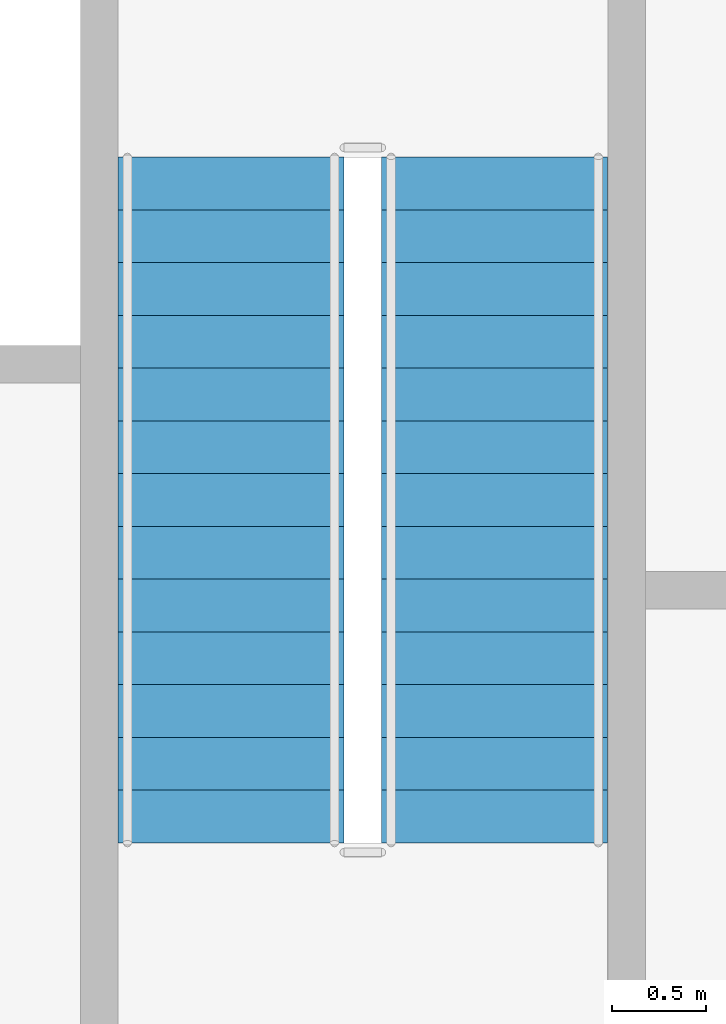
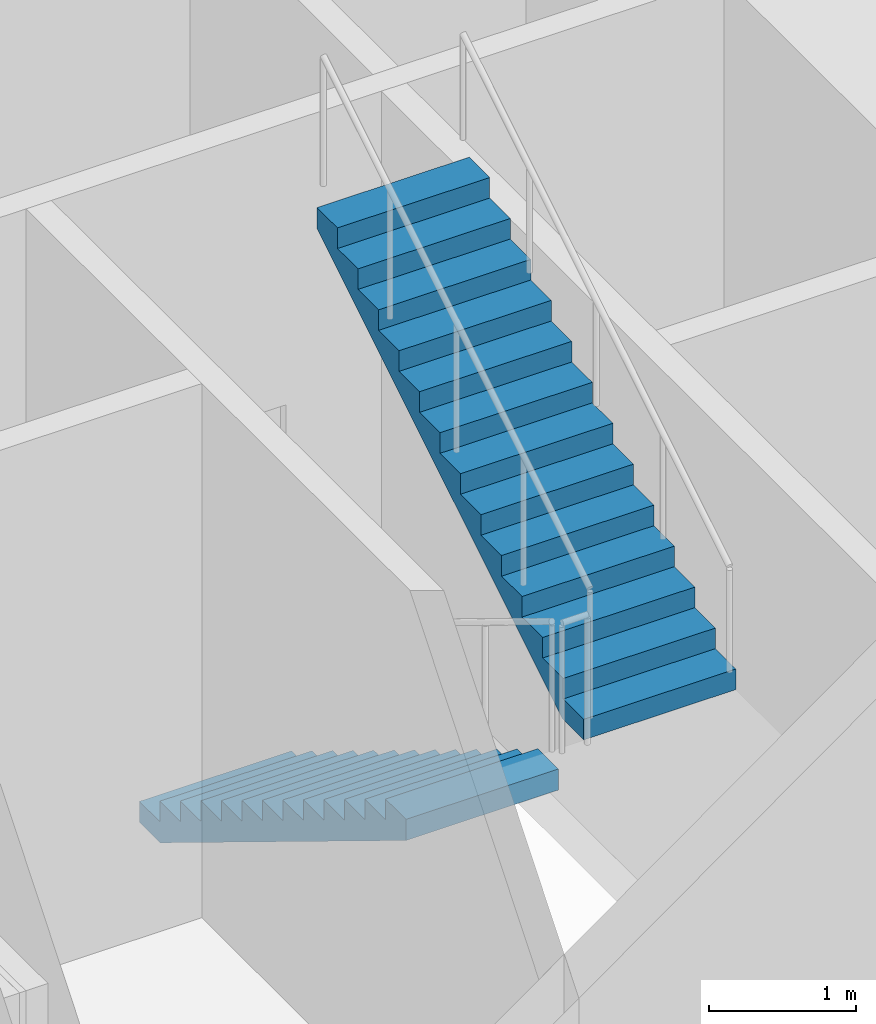
# One storey, part 17 of 27: 2 stair flights, 1 element without a shape of its own.
"""IFC4 building model written with IfcOpenShell, lengths in metres."""

from ifc_helpers import new_model, si_unit, direction, frame, origin, place, context, subcontext, project, spatial, polyline, outline, extrude, material, type_object, element, aggregate, save


model = new_model("IFC4")

# Units and contexts
model_context = context("Model", 3, precision=1e-05, world=origin(), true_north=direction((0.0, 1.0)))
body_context = subcontext(model_context, "Body", "Model", "MODEL_VIEW")
ifc_project = project(units=[si_unit("LENGTHUNIT", "METRE"), si_unit("AREAUNIT", "SQUARE_METRE"), si_unit("VOLUMEUNIT", "CUBIC_METRE"), si_unit("PLANEANGLEUNIT", "RADIAN"), si_unit("MASSUNIT", "GRAM", prefix="KILO")], contexts=[model_context])

# Site, building, storey
site_placement = place(None, origin())
site = spatial("IfcSite", under=ifc_project, at=site_placement, CompositionType="ELEMENT")
building_placement = place(site_placement, origin())
building = spatial("IfcBuilding", under=site, at=building_placement, Name="Kiln Ring Residences", CompositionType="ELEMENT")
storey_placement = place(building_placement, frame((0.0, 0.0, 6.5)))
storey = spatial("IfcBuildingStorey", under=building, at=storey_placement, Name="L01", CompositionType="ELEMENT", Elevation=6.5)

# Stair, stair flights
ifc_material_1 = material(Name="Concrete C40/50", Category="concrete")
stair_type = type_object("IfcStairType", Name="CORE-STAIR", PredefinedType="HALF_TURN_STAIR", material=ifc_material_1)
stair_placement = place(storey_placement, origin())
stair = element("IfcStair", 1, at=stair_placement, inside=storey, type_object=stair_type, Name="L01 stair E-STN", PredefinedType="HALF_TURN_STAIR")
ifc_material_2 = material(Name="Concrete C40/50", Category="concrete")
stair_flight_type = type_object("IfcStairFlightType", Name="CORE-STAIR-FLIGHT", PredefinedType="STRAIGHT", material=ifc_material_2)
stair_flight_1_placement = place(storey_placement, frame((21.39990234375, 8.39990234375, 0.0), z_axis=(0.0, 0.0, 1.0), x_axis=(0.0, -1.0, 0.0)))
stair_flight_1 = element("IfcStairFlight", 2, at=stair_flight_1_placement, type_object=stair_flight_type, Name="E-STN flight 1", NumberOfRisers=14, NumberOfTreads=13, PredefinedType="STRAIGHT", RiserHeight=0.171428571, TreadLength=0.28, context=body_context, shape_type="SweptSolid", body=[
    extrude(outline(polyline([(0.0, 0.0), (0.0, 0.17138671875), (0.280029296875, 0.17138671875), (0.280029296875, 0.3427734375), (0.56005859375, 0.3427734375), (0.56005859375, 0.514404296875), (0.840087890625, 0.514404296875), (0.840087890625, 0.685791015625), (1.1201171875, 0.685791015625), (1.1201171875, 0.857177734375), (1.39990234375, 0.857177734375), (1.39990234375, 1.028564453125), (1.679931640625, 1.028564453125), (1.679931640625, 1.199951171875), (1.9599609375, 1.199951171875), (1.9599609375, 1.371337890625), (2.239990234375, 1.371337890625), (2.239990234375, 1.54296875), (2.52001953125, 1.54296875), (2.52001953125, 1.71435546875), (2.800048828125, 1.71435546875), (2.800048828125, 1.8857421875), (3.080078125, 1.8857421875), (3.080078125, 2.05712890625), (3.360107421875, 2.05712890625), (3.360107421875, 2.228515625), (3.639892578125, 2.228515625), (3.639892578125, 2.39990234375), (3.639892578125, 2.052734375), (0.287109375, 0.0), (0.0, 0.0)])), frame((0.0, 0.60009765625, 0.0), z_axis=(0.0, -1.0, 0.0), x_axis=(1.0, 0.0, 0.0)), (0.0, 0.0, 1.0), 1.199951171875),
])
stair_flight_2_placement = place(storey_placement, frame((22.800048828125, 4.760009765625, 2.39990234375), z_axis=(0.0, 0.0, 1.0), x_axis=(0.0, 1.0, 0.0)))
stair_flight_2 = element("IfcStairFlight", 3, at=stair_flight_2_placement, type_object=stair_flight_type, Name="E-STN flight 2", NumberOfRisers=14, NumberOfTreads=13, PredefinedType="STRAIGHT", RiserHeight=0.171428571, TreadLength=0.28, context=body_context, shape_type="SweptSolid", body=[
    extrude(outline(polyline([(0.0, 0.0), (0.0, 0.17138671875), (0.280029296875, 0.17138671875), (0.280029296875, 0.3427734375), (0.56005859375, 0.3427734375), (0.56005859375, 0.514404296875), (0.840087890625, 0.514404296875), (0.840087890625, 0.685791015625), (1.1201171875, 0.685791015625), (1.1201171875, 0.857177734375), (1.39990234375, 0.857177734375), (1.39990234375, 1.028564453125), (1.679931640625, 1.028564453125), (1.679931640625, 1.199951171875), (1.9599609375, 1.199951171875), (1.9599609375, 1.371337890625), (2.239990234375, 1.371337890625), (2.239990234375, 1.54296875), (2.52001953125, 1.54296875), (2.52001953125, 1.71435546875), (2.800048828125, 1.71435546875), (2.800048828125, 1.8857421875), (3.080078125, 1.8857421875), (3.080078125, 2.05712890625), (3.360107421875, 2.05712890625), (3.360107421875, 2.228515625), (3.639892578125, 2.228515625), (3.639892578125, 2.39990234375), (3.639892578125, 2.052734375), (0.287109375, 0.0), (0.0, 0.0)])), frame((0.0, 0.60009765625, 0.0), z_axis=(0.0, -1.0, 0.0), x_axis=(1.0, 0.0, 0.0)), (0.0, 0.0, 1.0), 1.199951171875),
])
aggregate(stair, [stair_flight_1, stair_flight_2])

save(model, "model.ifc")
